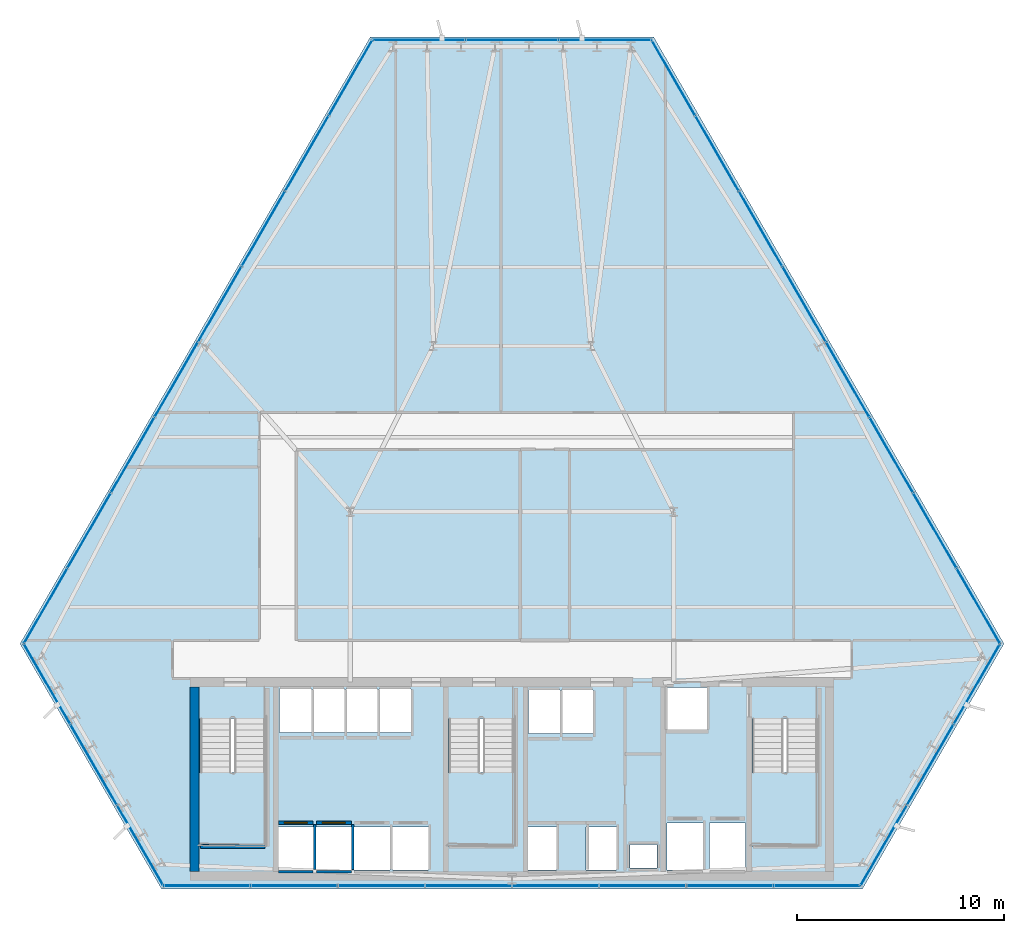
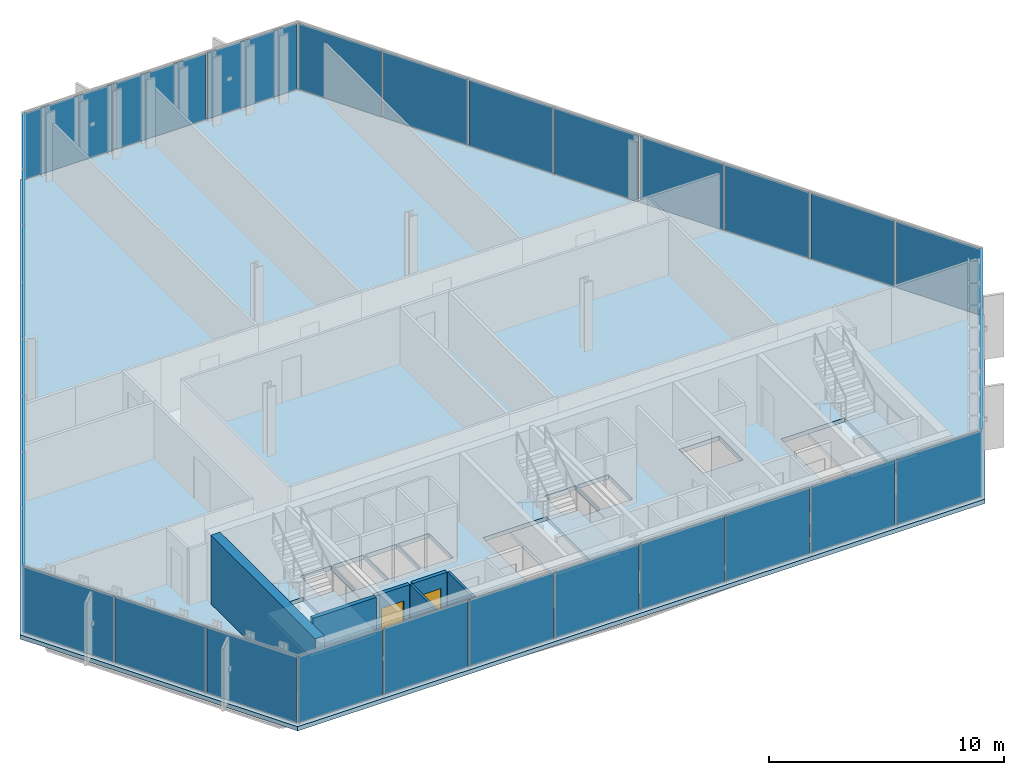
# One storey, part 24 of 31: 33 plates, 8 walls, 4 slabs, 2 doors, 2 openings, 9 elements without a shape of their own.
"""IFC4 building model written with IfcOpenShell, lengths in metres."""

from ifc_helpers import new_model, si_unit, direction, frame, frame_2d, origin, origin_2d, place, context, subcontext, project, spatial, polyline, rectangle, outline, extrude, material, layer, layer_set, type_object, element, fill, aggregate, save


model = new_model("IFC4")

# Units and contexts
model_context = context("Model", 3, precision=1e-05, world=origin(), true_north=direction((0.0, 1.0)))
body_context = subcontext(model_context, "Body", "Model", "MODEL_VIEW")
ifc_project = project(units=[si_unit("LENGTHUNIT", "METRE"), si_unit("AREAUNIT", "SQUARE_METRE"), si_unit("VOLUMEUNIT", "CUBIC_METRE"), si_unit("PLANEANGLEUNIT", "RADIAN"), si_unit("MASSUNIT", "GRAM", prefix="KILO")], contexts=[model_context])

# Site, building, storey
site_placement = place(None, origin())
site = spatial("IfcSite", under=ifc_project, at=site_placement, CompositionType="ELEMENT")
building_placement = place(site_placement, origin())
building = spatial("IfcBuilding", under=site, at=building_placement, Name="Ndaravel Arena Tower", CompositionType="ELEMENT")
storey_placement = place(building_placement, frame((0.0, 0.0, 104.39990234375)))
storey = spatial("IfcBuildingStorey", under=building, at=storey_placement, Name="L24", CompositionType="ELEMENT", Elevation=104.39990234375)

# Curtain wall, plate
ifc_material_1 = material(Name="Aluminium", Category="aluminium")
ifc_layer_1 = layer(ifc_material_1, 0.179931640625)
ifc_layer_set_1 = layer_set([ifc_layer_1], Name="Aluminium")
curtain_wall_type_1 = type_object("IfcCurtainWallType", Name="CW-SYS-01", PredefinedType="NOTDEFINED", material=ifc_layer_set_1)
curtain_wall_1_placement = place(storey_placement, origin())
curtain_wall_1 = element("IfcCurtainWall", 1, at=curtain_wall_1_placement, inside=storey, type_object=curtain_wall_type_1, Name="L24 Faceted Crystal Curtain Wall CW-L24-E02", PredefinedType="NOTDEFINED")
ifc_material_2 = material(Name="Glazing", Category="glass")
ifc_layer_2 = layer(ifc_material_2, 0.035888671875)
ifc_layer_set_2 = layer_set([ifc_layer_2], Name="Glazing")
plate_type_1 = type_object("IfcPlateType", Name="PLT-CW-OPVENT", PredefinedType="CURTAIN_PANEL", material=ifc_layer_set_2)
plate_1_placement = place(storey_placement, frame((62.1875, 10.996337890625, 0.06005859375), z_axis=(0.0, 0.0, 1.0), x_axis=(0.5, 0.866025403784, 0.0)))
plate_1 = element("IfcPlate", 2, at=plate_1_placement, type_object=plate_type_1, Name="CW-L24-E02 Operable Vent Sash Panel 02", PredefinedType="CURTAIN_PANEL", context=body_context, shape_type="SweptSolid", body=[
    extrude(rectangle(XDim=4.412841796875, YDim=0.035888671875, at=origin_2d()), origin(), (0.0, 0.0, 1.0), 3.4599609375),
])

curtain_wall_2_placement = place(storey_placement, origin())
curtain_wall_2 = element("IfcCurtainWall", 3, at=curtain_wall_2_placement, inside=storey, type_object=curtain_wall_type_1, Name="L24 Faceted Crystal Curtain Wall CW-L24-E04", PredefinedType="NOTDEFINED")
plate_2_placement = place(storey_placement, frame((42.0, 45.962646484375, 0.06005859375), z_axis=(0.0, 0.0, 1.0), x_axis=(-1.0, 0.0, 0.0)))
plate_2 = element("IfcPlate", 4, at=plate_2_placement, type_object=plate_type_1, Name="CW-L24-E04 Operable Vent Sash Panel 02", PredefinedType="CURTAIN_PANEL", context=body_context, shape_type="SweptSolid", body=[
    extrude(rectangle(XDim=4.412841796875, YDim=0.035888671875, at=origin_2d()), origin(), (0.0, 0.0, 1.0), 3.4599609375),
])

ifc_material_3 = material(Name="Aluminium", Category="aluminium")
ifc_layer_3 = layer(ifc_material_3, 0.179931640625)
ifc_layer_set_3 = layer_set([ifc_layer_3], Name="Aluminium")
curtain_wall_type_2 = type_object("IfcCurtainWallType", Name="CW-SYS-02", PredefinedType="NOTDEFINED", material=ifc_layer_set_3)
curtain_wall_3_placement = place(storey_placement, origin())
curtain_wall_3 = element("IfcCurtainWall", 5, at=curtain_wall_3_placement, inside=storey, type_object=curtain_wall_type_2, Name="L24 Faceted Crystal Curtain Wall CW-L24-E06", PredefinedType="NOTDEFINED")
plate_3_placement = place(storey_placement, frame((21.812255859375, 10.996337890625, 0.06005859375), z_axis=(0.0, 0.0, 1.0), x_axis=(0.5, -0.866025403784, 0.0)))
plate_3 = element("IfcPlate", 6, at=plate_3_placement, type_object=plate_type_1, Name="CW-L24-E06 Operable Vent Sash Panel 02", PredefinedType="CURTAIN_PANEL", context=body_context, shape_type="SweptSolid", body=[
    extrude(rectangle(XDim=4.412841796875, YDim=0.035888671875, at=origin_2d()), origin(), (0.0, 0.0, 1.0), 3.4599609375),
])

# Plate
ifc_material_4 = material(Name="Glazing", Category="glass")
ifc_layer_4 = layer(ifc_material_4, 0.031982421875)
ifc_layer_set_4 = layer_set([ifc_layer_4], Name="Glazing")
plate_type_2 = type_object("IfcPlateType", Name="PLT-GLZ-FRIT35", PredefinedType="CURTAIN_PANEL", material=ifc_layer_set_4)
plate_4_placement = place(storey_placement, frame((59.941162109375, 7.10546875, 0.06005859375), z_axis=(0.0, 0.0, 1.0), x_axis=(0.5, 0.866025403784, 0.0)))
plate_4 = element("IfcPlate", 7, at=plate_4_placement, type_object=plate_type_2, Name="CW-L24-E02 Vision Glass Panel 01", PredefinedType="CURTAIN_PANEL", context=body_context, shape_type="SweptSolid", body=[
    extrude(rectangle(XDim=4.412841796875, YDim=0.035888671875, at=origin_2d()), origin(), (0.0, 0.0, 1.0), 3.4599609375),
])

plate_5_placement = place(storey_placement, frame((64.43408203125, 14.88720703125, 0.06005859375), z_axis=(0.0, 0.0, 1.0), x_axis=(0.5, 0.866025403784, 0.0)))
plate_5 = element("IfcPlate", 8, at=plate_5_placement, type_object=plate_type_2, Name="CW-L24-E02 Vision Glass Panel 03", PredefinedType="CURTAIN_PANEL", context=body_context, shape_type="SweptSolid", body=[
    extrude(rectangle(XDim=4.412841796875, YDim=0.035888671875, at=origin_2d()), origin(), (0.0, 0.0, 1.0), 3.4599609375),
])

aggregate(curtain_wall_1, [plate_4, plate_1, plate_5])

plate_6_placement = place(storey_placement, frame((46.492919921875, 45.962646484375, 0.06005859375), z_axis=(0.0, 0.0, 1.0), x_axis=(-1.0, 0.0, 0.0)))
plate_6 = element("IfcPlate", 9, at=plate_6_placement, type_object=plate_type_2, Name="CW-L24-E04 Vision Glass Panel 01", PredefinedType="CURTAIN_PANEL", context=body_context, shape_type="SweptSolid", body=[
    extrude(rectangle(XDim=4.412841796875, YDim=0.035888671875, at=origin_2d()), origin(), (0.0, 0.0, 1.0), 3.4599609375),
])

plate_7_placement = place(storey_placement, frame((37.507080078125, 45.962646484375, 0.06005859375), z_axis=(0.0, 0.0, 1.0), x_axis=(-1.0, 0.0, 0.0)))
plate_7 = element("IfcPlate", 10, at=plate_7_placement, type_object=plate_type_2, Name="CW-L24-E04 Vision Glass Panel 03", PredefinedType="CURTAIN_PANEL", context=body_context, shape_type="SweptSolid", body=[
    extrude(rectangle(XDim=4.412841796875, YDim=0.035888671875, at=origin_2d()), origin(), (0.0, 0.0, 1.0), 3.4599609375),
])

aggregate(curtain_wall_2, [plate_6, plate_2, plate_7])

ifc_material_5 = material(Name="Glazing", Category="glass")
ifc_layer_5 = layer(ifc_material_5, 0.035888671875)
ifc_layer_set_5 = layer_set([ifc_layer_5], Name="Glazing")
plate_type_3 = type_object("IfcPlateType", Name="PLT-GLZ-FRIT55", PredefinedType="CURTAIN_PANEL", material=ifc_layer_set_5)
plate_8_placement = place(storey_placement, frame((19.56591796875, 14.88720703125, 0.06005859375), z_axis=(0.0, 0.0, 1.0), x_axis=(0.5, -0.866025403784, 0.0)))
plate_8 = element("IfcPlate", 11, at=plate_8_placement, type_object=plate_type_3, Name="CW-L24-E06 Vision Glass Panel 01", PredefinedType="CURTAIN_PANEL", context=body_context, shape_type="SweptSolid", body=[
    extrude(rectangle(XDim=4.412841796875, YDim=0.035888671875, at=origin_2d()), origin(), (0.0, 0.0, 1.0), 3.4599609375),
])

plate_9_placement = place(storey_placement, frame((24.058837890625, 7.10546875, 0.06005859375), z_axis=(0.0, 0.0, 1.0), x_axis=(0.5, -0.866025403784, 0.0)))
plate_9 = element("IfcPlate", 12, at=plate_9_placement, type_object=plate_type_3, Name="CW-L24-E06 Vision Glass Panel 03", PredefinedType="CURTAIN_PANEL", context=body_context, shape_type="SweptSolid", body=[
    extrude(rectangle(XDim=4.412841796875, YDim=0.035888671875, at=origin_2d()), origin(), (0.0, 0.0, 1.0), 3.4599609375),
])

aggregate(curtain_wall_3, [plate_8, plate_3, plate_9])

# Curtain wall, plates
ifc_material_6 = material(Name="Aluminium", Category="aluminium")
ifc_layer_6 = layer(ifc_material_6, 0.179931640625)
ifc_layer_set_6 = layer_set([ifc_layer_6], Name="Aluminium")
curtain_wall_type_3 = type_object("IfcCurtainWallType", Name="CW-SYS-03", PredefinedType="NOTDEFINED", material=ifc_layer_set_6)
curtain_wall_4_placement = place(storey_placement, origin())
curtain_wall_4 = element("IfcCurtainWall", 13, at=curtain_wall_4_placement, inside=storey, type_object=curtain_wall_type_3, Name="L24 Faceted Crystal Curtain Wall CW-L24-E01", PredefinedType="NOTDEFINED")
ifc_material_7 = material(Name="Glazing", Category="glass")
ifc_layer_7 = layer(ifc_material_7, 0.0400390625)
ifc_layer_set_7 = layer_set([ifc_layer_7], Name="Glazing")
plate_type_4 = type_object("IfcPlateType", Name="PLT-GLZ-LOWIRON", PredefinedType="CURTAIN_PANEL", material=ifc_layer_set_7)
plate_10_placement = place(storey_placement, frame((27.2841796875, 5.159912109375, 0.06005859375), z_axis=(0.0, 0.0, 1.0), x_axis=(1.0, 0.0, 0.0)))
plate_10 = element("IfcPlate", 14, at=plate_10_placement, type_object=plate_type_4, Name="CW-L24-E01 Vision Glass Panel 01", PredefinedType="CURTAIN_PANEL", context=body_context, shape_type="SweptSolid", body=[
    extrude(rectangle(XDim=4.12451171875, YDim=0.035888671875, at=origin_2d()), origin(), (0.0, 0.0, 1.0), 3.4599609375),
])
plate_11_placement = place(storey_placement, frame((31.48876953125, 5.159912109375, 0.06005859375), z_axis=(0.0, 0.0, 1.0), x_axis=(1.0, 0.0, 0.0)))
plate_11 = element("IfcPlate", 15, at=plate_11_placement, type_object=plate_type_4, Name="CW-L24-E01 Vision Glass Panel 02", PredefinedType="CURTAIN_PANEL", context=body_context, shape_type="SweptSolid", body=[
    extrude(rectangle(XDim=4.12451171875, YDim=0.035888671875, at=origin_2d()), origin(), (0.0, 0.0, 1.0), 3.4599609375),
])
plate_12_placement = place(storey_placement, frame((35.693115234375, 5.159912109375, 0.06005859375), z_axis=(0.0, 0.0, 1.0), x_axis=(1.0, 0.0, 0.0)))
plate_12 = element("IfcPlate", 16, at=plate_12_placement, type_object=plate_type_4, Name="CW-L24-E01 Vision Glass Panel 03", PredefinedType="CURTAIN_PANEL", context=body_context, shape_type="SweptSolid", body=[
    extrude(rectangle(XDim=4.12451171875, YDim=0.035888671875, at=origin_2d()), origin(), (0.0, 0.0, 1.0), 3.4599609375),
])
plate_13_placement = place(storey_placement, frame((39.897705078125, 5.159912109375, 0.06005859375), z_axis=(0.0, 0.0, 1.0), x_axis=(1.0, 0.0, 0.0)))
plate_13 = element("IfcPlate", 17, at=plate_13_placement, type_object=plate_type_4, Name="CW-L24-E01 Vision Glass Panel 04", PredefinedType="CURTAIN_PANEL", context=body_context, shape_type="SweptSolid", body=[
    extrude(rectangle(XDim=4.12451171875, YDim=0.035888671875, at=origin_2d()), origin(), (0.0, 0.0, 1.0), 3.4599609375),
])
plate_14_placement = place(storey_placement, frame((44.102294921875, 5.159912109375, 0.06005859375), z_axis=(0.0, 0.0, 1.0), x_axis=(1.0, 0.0, 0.0)))
plate_14 = element("IfcPlate", 18, at=plate_14_placement, type_object=plate_type_4, Name="CW-L24-E01 Vision Glass Panel 05", PredefinedType="CURTAIN_PANEL", context=body_context, shape_type="SweptSolid", body=[
    extrude(rectangle(XDim=4.12451171875, YDim=0.035888671875, at=origin_2d()), origin(), (0.0, 0.0, 1.0), 3.4599609375),
])
plate_15_placement = place(storey_placement, frame((48.306640625, 5.159912109375, 0.06005859375), z_axis=(0.0, 0.0, 1.0), x_axis=(1.0, 0.0, 0.0)))
plate_15 = element("IfcPlate", 19, at=plate_15_placement, type_object=plate_type_4, Name="CW-L24-E01 Vision Glass Panel 06", PredefinedType="CURTAIN_PANEL", context=body_context, shape_type="SweptSolid", body=[
    extrude(rectangle(XDim=4.12451171875, YDim=0.035888671875, at=origin_2d()), origin(), (0.0, 0.0, 1.0), 3.4599609375),
])
plate_16_placement = place(storey_placement, frame((52.51123046875, 5.159912109375, 0.06005859375), z_axis=(0.0, 0.0, 1.0), x_axis=(1.0, 0.0, 0.0)))
plate_16 = element("IfcPlate", 20, at=plate_16_placement, type_object=plate_type_4, Name="CW-L24-E01 Vision Glass Panel 07", PredefinedType="CURTAIN_PANEL", context=body_context, shape_type="SweptSolid", body=[
    extrude(rectangle(XDim=4.12451171875, YDim=0.035888671875, at=origin_2d()), origin(), (0.0, 0.0, 1.0), 3.4599609375),
])
plate_17_placement = place(storey_placement, frame((56.7158203125, 5.159912109375, 0.06005859375), z_axis=(0.0, 0.0, 1.0), x_axis=(1.0, 0.0, 0.0)))
plate_17 = element("IfcPlate", 21, at=plate_17_placement, type_object=plate_type_4, Name="CW-L24-E01 Vision Glass Panel 08", PredefinedType="CURTAIN_PANEL", context=body_context, shape_type="SweptSolid", body=[
    extrude(rectangle(XDim=4.12451171875, YDim=0.035888671875, at=origin_2d()), origin(), (0.0, 0.0, 1.0), 3.4599609375),
])
aggregate(curtain_wall_4, [plate_10, plate_11, plate_12, plate_13, plate_14, plate_15, plate_16, plate_17])

curtain_wall_5_placement = place(storey_placement, origin())
curtain_wall_5 = element("IfcCurtainWall", 22, at=curtain_wall_5_placement, inside=storey, type_object=curtain_wall_type_3, Name="L24 Faceted Crystal Curtain Wall CW-L24-E03", PredefinedType="NOTDEFINED")
plate_18_placement = place(storey_placement, frame((64.506103515625, 18.6533203125, 0.06005859375), z_axis=(0.0, 0.0, 1.0), x_axis=(-0.5, 0.866025403784, 0.0)))
plate_18 = element("IfcPlate", 23, at=plate_18_placement, type_object=plate_type_4, Name="CW-L24-E03 Vision Glass Panel 01", PredefinedType="CURTAIN_PANEL", context=body_context, shape_type="SweptSolid", body=[
    extrude(rectangle(XDim=4.12451171875, YDim=0.035888671875, at=origin_2d()), origin(), (0.0, 0.0, 1.0), 3.4599609375),
])
plate_19_placement = place(storey_placement, frame((62.40380859375, 22.294677734375, 0.06005859375), z_axis=(0.0, 0.0, 1.0), x_axis=(-0.5, 0.866025403784, 0.0)))
plate_19 = element("IfcPlate", 24, at=plate_19_placement, type_object=plate_type_4, Name="CW-L24-E03 Vision Glass Panel 02", PredefinedType="CURTAIN_PANEL", context=body_context, shape_type="SweptSolid", body=[
    extrude(rectangle(XDim=4.12451171875, YDim=0.035888671875, at=origin_2d()), origin(), (0.0, 0.0, 1.0), 3.4599609375),
])
plate_20_placement = place(storey_placement, frame((60.3017578125, 25.935791015625, 0.06005859375), z_axis=(0.0, 0.0, 1.0), x_axis=(-0.5, 0.866025403784, 0.0)))
plate_20 = element("IfcPlate", 25, at=plate_20_placement, type_object=plate_type_4, Name="CW-L24-E03 Vision Glass Panel 03", PredefinedType="CURTAIN_PANEL", context=body_context, shape_type="SweptSolid", body=[
    extrude(rectangle(XDim=4.12451171875, YDim=0.035888671875, at=origin_2d()), origin(), (0.0, 0.0, 1.0), 3.4599609375),
])
plate_21_placement = place(storey_placement, frame((58.199462890625, 29.5771484375, 0.06005859375), z_axis=(0.0, 0.0, 1.0), x_axis=(-0.5, 0.866025403784, 0.0)))
plate_21 = element("IfcPlate", 26, at=plate_21_placement, type_object=plate_type_4, Name="CW-L24-E03 Vision Glass Panel 04", PredefinedType="CURTAIN_PANEL", context=body_context, shape_type="SweptSolid", body=[
    extrude(rectangle(XDim=4.12451171875, YDim=0.035888671875, at=origin_2d()), origin(), (0.0, 0.0, 1.0), 3.4599609375),
])
plate_22_placement = place(storey_placement, frame((56.09716796875, 33.21826171875, 0.06005859375), z_axis=(0.0, 0.0, 1.0), x_axis=(-0.5, 0.866025403784, 0.0)))
plate_22 = element("IfcPlate", 27, at=plate_22_placement, type_object=plate_type_4, Name="CW-L24-E03 Vision Glass Panel 05", PredefinedType="CURTAIN_PANEL", context=body_context, shape_type="SweptSolid", body=[
    extrude(rectangle(XDim=4.12451171875, YDim=0.035888671875, at=origin_2d()), origin(), (0.0, 0.0, 1.0), 3.4599609375),
])
plate_23_placement = place(storey_placement, frame((53.994873046875, 36.859619140625, 0.06005859375), z_axis=(0.0, 0.0, 1.0), x_axis=(-0.5, 0.866025403784, 0.0)))
plate_23 = element("IfcPlate", 28, at=plate_23_placement, type_object=plate_type_4, Name="CW-L24-E03 Vision Glass Panel 06", PredefinedType="CURTAIN_PANEL", context=body_context, shape_type="SweptSolid", body=[
    extrude(rectangle(XDim=4.12451171875, YDim=0.035888671875, at=origin_2d()), origin(), (0.0, 0.0, 1.0), 3.4599609375),
])
plate_24_placement = place(storey_placement, frame((51.892578125, 40.500732421875, 0.06005859375), z_axis=(0.0, 0.0, 1.0), x_axis=(-0.5, 0.866025403784, 0.0)))
plate_24 = element("IfcPlate", 29, at=plate_24_placement, type_object=plate_type_4, Name="CW-L24-E03 Vision Glass Panel 07", PredefinedType="CURTAIN_PANEL", context=body_context, shape_type="SweptSolid", body=[
    extrude(rectangle(XDim=4.12451171875, YDim=0.035888671875, at=origin_2d()), origin(), (0.0, 0.0, 1.0), 3.4599609375),
])
plate_25_placement = place(storey_placement, frame((49.790283203125, 44.14208984375, 0.06005859375), z_axis=(0.0, 0.0, 1.0), x_axis=(-0.5, 0.866025403784, 0.0)))
plate_25 = element("IfcPlate", 30, at=plate_25_placement, type_object=plate_type_4, Name="CW-L24-E03 Vision Glass Panel 08", PredefinedType="CURTAIN_PANEL", context=body_context, shape_type="SweptSolid", body=[
    extrude(rectangle(XDim=4.12451171875, YDim=0.035888671875, at=origin_2d()), origin(), (0.0, 0.0, 1.0), 3.4599609375),
])
aggregate(curtain_wall_5, [plate_18, plate_19, plate_20, plate_21, plate_22, plate_23, plate_24, plate_25])

curtain_wall_6_placement = place(storey_placement, origin())
curtain_wall_6 = element("IfcCurtainWall", 31, at=curtain_wall_6_placement, inside=storey, type_object=curtain_wall_type_3, Name="L24 Faceted Crystal Curtain Wall CW-L24-E05", PredefinedType="NOTDEFINED")
plate_26_placement = place(storey_placement, frame((34.209716796875, 44.14208984375, 0.06005859375), z_axis=(0.0, 0.0, 1.0), x_axis=(-0.5, -0.866025403784, 0.0)))
plate_26 = element("IfcPlate", 32, at=plate_26_placement, type_object=plate_type_4, Name="CW-L24-E05 Vision Glass Panel 01", PredefinedType="CURTAIN_PANEL", context=body_context, shape_type="SweptSolid", body=[
    extrude(rectangle(XDim=4.12451171875, YDim=0.035888671875, at=origin_2d()), origin(), (0.0, 0.0, 1.0), 3.4599609375),
])
plate_27_placement = place(storey_placement, frame((32.107421875, 40.500732421875, 0.06005859375), z_axis=(0.0, 0.0, 1.0), x_axis=(-0.5, -0.866025403784, 0.0)))
plate_27 = element("IfcPlate", 33, at=plate_27_placement, type_object=plate_type_4, Name="CW-L24-E05 Vision Glass Panel 02", PredefinedType="CURTAIN_PANEL", context=body_context, shape_type="SweptSolid", body=[
    extrude(rectangle(XDim=4.12451171875, YDim=0.035888671875, at=origin_2d()), origin(), (0.0, 0.0, 1.0), 3.4599609375),
])
plate_28_placement = place(storey_placement, frame((30.005126953125, 36.859619140625, 0.06005859375), z_axis=(0.0, 0.0, 1.0), x_axis=(-0.5, -0.866025403784, 0.0)))
plate_28 = element("IfcPlate", 34, at=plate_28_placement, type_object=plate_type_4, Name="CW-L24-E05 Vision Glass Panel 03", PredefinedType="CURTAIN_PANEL", context=body_context, shape_type="SweptSolid", body=[
    extrude(rectangle(XDim=4.12451171875, YDim=0.035888671875, at=origin_2d()), origin(), (0.0, 0.0, 1.0), 3.4599609375),
])
plate_29_placement = place(storey_placement, frame((27.90283203125, 33.21826171875, 0.06005859375), z_axis=(0.0, 0.0, 1.0), x_axis=(-0.5, -0.866025403784, 0.0)))
plate_29 = element("IfcPlate", 35, at=plate_29_placement, type_object=plate_type_4, Name="CW-L24-E05 Vision Glass Panel 04", PredefinedType="CURTAIN_PANEL", context=body_context, shape_type="SweptSolid", body=[
    extrude(rectangle(XDim=4.12451171875, YDim=0.035888671875, at=origin_2d()), origin(), (0.0, 0.0, 1.0), 3.4599609375),
])
plate_30_placement = place(storey_placement, frame((25.800537109375, 29.5771484375, 0.06005859375), z_axis=(0.0, 0.0, 1.0), x_axis=(-0.5, -0.866025403784, 0.0)))
plate_30 = element("IfcPlate", 36, at=plate_30_placement, type_object=plate_type_4, Name="CW-L24-E05 Vision Glass Panel 05", PredefinedType="CURTAIN_PANEL", context=body_context, shape_type="SweptSolid", body=[
    extrude(rectangle(XDim=4.12451171875, YDim=0.035888671875, at=origin_2d()), origin(), (0.0, 0.0, 1.0), 3.4599609375),
])
plate_31_placement = place(storey_placement, frame((23.6982421875, 25.935791015625, 0.06005859375), z_axis=(0.0, 0.0, 1.0), x_axis=(-0.5, -0.866025403784, 0.0)))
plate_31 = element("IfcPlate", 37, at=plate_31_placement, type_object=plate_type_4, Name="CW-L24-E05 Vision Glass Panel 06", PredefinedType="CURTAIN_PANEL", context=body_context, shape_type="SweptSolid", body=[
    extrude(rectangle(XDim=4.12451171875, YDim=0.035888671875, at=origin_2d()), origin(), (0.0, 0.0, 1.0), 3.4599609375),
])
plate_32_placement = place(storey_placement, frame((21.59619140625, 22.294677734375, 0.06005859375), z_axis=(0.0, 0.0, 1.0), x_axis=(-0.5, -0.866025403784, 0.0)))
plate_32 = element("IfcPlate", 38, at=plate_32_placement, type_object=plate_type_4, Name="CW-L24-E05 Vision Glass Panel 07", PredefinedType="CURTAIN_PANEL", context=body_context, shape_type="SweptSolid", body=[
    extrude(rectangle(XDim=4.12451171875, YDim=0.035888671875, at=origin_2d()), origin(), (0.0, 0.0, 1.0), 3.4599609375),
])
plate_33_placement = place(storey_placement, frame((19.493896484375, 18.6533203125, 0.06005859375), z_axis=(0.0, 0.0, 1.0), x_axis=(-0.5, -0.866025403784, 0.0)))
plate_33 = element("IfcPlate", 39, at=plate_33_placement, type_object=plate_type_4, Name="CW-L24-E05 Vision Glass Panel 08", PredefinedType="CURTAIN_PANEL", context=body_context, shape_type="SweptSolid", body=[
    extrude(rectangle(XDim=4.12451171875, YDim=0.035888671875, at=origin_2d()), origin(), (0.0, 0.0, 1.0), 3.4599609375),
])
aggregate(curtain_wall_6, [plate_26, plate_27, plate_28, plate_29, plate_30, plate_31, plate_32, plate_33])

# Stair, slab
ifc_material_8 = material(Name="Concrete C40/50", Category="concrete")
stair_type = type_object("IfcStairType", Name="STAIR-CORE-HT", PredefinedType="HALF_TURN_STAIR", material=ifc_material_8)
stair_1_placement = place(storey_placement, origin())
stair_1 = element("IfcStair", 40, at=stair_1_placement, inside=storey, type_object=stair_type, Name="L24 ST-1", PredefinedType="HALF_TURN_STAIR")
ifc_material_9 = material(Name="Concrete C40/50", Category="concrete")
ifc_layer_8 = layer(ifc_material_9, 0.199951171875)
ifc_layer_set_8 = layer_set([ifc_layer_8], Name="Concrete C40/50")
slab_type_1 = type_object("IfcSlabType", Name="SLAB-STAIR-LANDING", PredefinedType="LANDING", material=ifc_layer_set_8)
slab_1_placement = place(storey_placement, frame((0.0, 0.0, 1.7001953125)))
slab_1 = element("IfcSlab", 41, at=slab_1_placement, type_object=slab_type_1, Name="ST-1 landing 1", PredefinedType="LANDING", context=body_context, shape_type="SweptSolid", body=[
    extrude(outline(polyline([(26.81005859375, 10.6298828125), (26.81005859375, 7.070068359375), (30.169921875, 7.070068359375), (30.169921875, 10.6298828125), (26.81005859375, 10.6298828125)])), origin(), (0.0, 0.0, 1.0), 0.199951171875),
])
aggregate(stair_1, [slab_1])

stair_2_placement = place(storey_placement, origin())
stair_2 = element("IfcStair", 42, at=stair_2_placement, inside=storey, type_object=stair_type, Name="L24 ST-2", PredefinedType="HALF_TURN_STAIR")
slab_2_placement = place(storey_placement, frame((0.0, 0.0, 1.7001953125)))
slab_2 = element("IfcSlab", 43, at=slab_2_placement, type_object=slab_type_1, Name="ST-2 landing 1", PredefinedType="LANDING", context=body_context, shape_type="SweptSolid", body=[
    extrude(outline(polyline([(38.81005859375, 10.6298828125), (38.81005859375, 7.070068359375), (42.169921875, 7.070068359375), (42.169921875, 10.6298828125), (38.81005859375, 10.6298828125)])), origin(), (0.0, 0.0, 1.0), 0.199951171875),
])
aggregate(stair_2, [slab_2])

stair_3_placement = place(storey_placement, origin())
stair_3 = element("IfcStair", 44, at=stair_3_placement, inside=storey, type_object=stair_type, Name="L24 ST-3", PredefinedType="HALF_TURN_STAIR")
slab_3_placement = place(storey_placement, frame((0.0, 0.0, 1.7001953125)))
slab_3 = element("IfcSlab", 45, at=slab_3_placement, type_object=slab_type_1, Name="ST-3 landing 1", PredefinedType="LANDING", context=body_context, shape_type="SweptSolid", body=[
    extrude(outline(polyline([(53.4599609375, 10.6298828125), (53.4599609375, 7.070068359375), (56.820068359375, 7.070068359375), (56.820068359375, 10.6298828125), (53.4599609375, 10.6298828125)])), origin(), (0.0, 0.0, 1.0), 0.199951171875),
])
aggregate(stair_3, [slab_3])

# Slab
ifc_material_10 = material(Name="Concrete C40/50", Category="concrete")
ifc_layer_9 = layer(ifc_material_10, 0.219970703125)
ifc_layer_set_9 = layer_set([ifc_layer_9], Name="Concrete C40/50")
slab_type_2 = type_object("IfcSlabType", Name="SLAB-TWR-220", PredefinedType="FLOOR", material=ifc_layer_set_9)
slab_4_placement = place(storey_placement, frame((0.0, 0.0, -0.219970703125)))
element("IfcSlab", 46, at=slab_4_placement, inside=storey, type_object=slab_type_2, Name="L24 Structural Floor Slab", PredefinedType="FLOOR", context=body_context, shape_type="SweptSolid", body=[
    extrude(outline(polyline([(18.2578125, 16.832763671875), (25.089599609375, 5.0), (58.910400390625, 5.0), (65.7421875, 16.832763671875), (48.831787109375, 46.12255859375), (35.168212890625, 46.12255859375), (18.2578125, 16.832763671875)]), holes=[polyline([(26.949951171875, 13.215087890625), (26.949951171875, 7.14990234375), (30.090087890625, 7.14990234375), (30.090087890625, 13.215087890625), (26.949951171875, 13.215087890625)]), polyline([(38.949951171875, 13.215087890625), (38.949951171875, 7.14990234375), (42.090087890625, 7.14990234375), (42.090087890625, 13.215087890625), (38.949951171875, 13.215087890625)]), polyline([(53.60009765625, 13.215087890625), (53.60009765625, 7.14990234375), (56.739990234375, 7.14990234375), (56.739990234375, 13.215087890625), (53.60009765625, 13.215087890625)]), polyline([(30.68505859375, 5.909912109375), (32.4150390625, 5.909912109375), (32.4150390625, 7.989990234375), (30.68505859375, 7.989990234375), (30.68505859375, 5.909912109375)]), polyline([(32.534912109375, 5.909912109375), (34.264892578125, 5.909912109375), (34.264892578125, 7.989990234375), (32.534912109375, 7.989990234375), (32.534912109375, 5.909912109375)]), polyline([(34.385009765625, 5.909912109375), (36.114990234375, 5.909912109375), (36.114990234375, 7.989990234375), (34.385009765625, 7.989990234375), (34.385009765625, 5.909912109375)]), polyline([(36.235107421875, 5.909912109375), (37.965087890625, 5.909912109375), (37.965087890625, 7.989990234375), (36.235107421875, 7.989990234375), (36.235107421875, 5.909912109375)]), polyline([(30.784912109375, 12.56005859375), (32.31494140625, 12.56005859375), (32.31494140625, 14.639892578125), (30.784912109375, 14.639892578125), (30.784912109375, 12.56005859375)]), polyline([(32.385009765625, 12.56005859375), (33.9150390625, 12.56005859375), (33.9150390625, 14.639892578125), (32.385009765625, 14.639892578125), (32.385009765625, 12.56005859375)]), polyline([(33.985107421875, 12.56005859375), (35.514892578125, 12.56005859375), (35.514892578125, 14.639892578125), (33.985107421875, 14.639892578125), (33.985107421875, 12.56005859375)]), polyline([(35.5849609375, 12.56005859375), (37.114990234375, 12.56005859375), (37.114990234375, 14.639892578125), (35.5849609375, 14.639892578125), (35.5849609375, 12.56005859375)]), polyline([(42.659912109375, 5.909912109375), (44.139892578125, 5.909912109375), (44.139892578125, 7.989990234375), (42.659912109375, 7.989990234375), (42.659912109375, 5.909912109375)]), polyline([(45.56005859375, 5.909912109375), (47.0400390625, 5.909912109375), (47.0400390625, 7.989990234375), (45.56005859375, 7.989990234375), (45.56005859375, 5.909912109375)]), polyline([(42.784912109375, 12.510009765625), (44.31494140625, 12.510009765625), (44.31494140625, 14.590087890625), (42.784912109375, 14.590087890625), (42.784912109375, 12.510009765625)]), polyline([(44.385009765625, 12.510009765625), (45.9150390625, 12.510009765625), (45.9150390625, 14.590087890625), (44.385009765625, 14.590087890625), (44.385009765625, 12.510009765625)]), polyline([(49.485107421875, 5.909912109375), (51.215087890625, 5.909912109375), (51.215087890625, 8.18994140625), (49.485107421875, 8.18994140625), (49.485107421875, 5.909912109375)]), polyline([(51.534912109375, 5.909912109375), (53.264892578125, 5.909912109375), (53.264892578125, 8.18994140625), (51.534912109375, 8.18994140625), (51.534912109375, 5.909912109375)]), polyline([(49.4599609375, 12.68505859375), (51.43994140625, 12.68505859375), (51.43994140625, 14.715087890625), (49.4599609375, 14.715087890625), (49.4599609375, 12.68505859375)]), polyline([(47.699951171875, 6.0), (49.0, 6.0), (49.0, 7.139892578125), (47.699951171875, 7.139892578125), (47.699951171875, 6.0)])]), origin(), (0.0, 0.0, 1.0), 0.219970703125),
])

# Walls
ifc_material_11 = material(Name="Concrete C60/75", Category="concrete")
ifc_layer_10 = layer(ifc_material_11, 0.449951171875)
ifc_layer_set_10 = layer_set([ifc_layer_10], Name="Concrete C60/75")
wall_type_1 = type_object("IfcWallType", Name="WALL-CORE-450", PredefinedType="SOLIDWALL", material=ifc_layer_set_10)
wall_1_placement = place(storey_placement, frame((26.675048828125, 5.85009765625, 0.0), z_axis=(0.0, 0.0, 1.0), x_axis=(0.0, 1.0, 0.0)))
element("IfcWall", 47, at=wall_1_placement, inside=storey, type_object=wall_type_1, Name="L24 Core West Shear Wall", PredefinedType="SOLIDWALL", context=body_context, shape_type="SweptSolid", body=[
    extrude(rectangle(XDim=8.89990234375, YDim=0.449951171875, at=frame_2d((4.449951171875, 0.0))), origin(), (0.0, 0.0, 1.0), 3.580078125),
])
ifc_material_12 = material(Name="Concrete C40/50", Category="concrete")
ifc_layer_11 = layer(ifc_material_12, 0.1201171875)
ifc_layer_set_11 = layer_set([ifc_layer_11], Name="Concrete C40/50")
wall_type_2 = type_object("IfcWallType", Name="WALL-SHAFT-120", PredefinedType="SOLIDWALL", material=ifc_layer_set_11)
wall_2_placement = place(storey_placement, frame((30.72998046875, 5.840087890625, 0.0), z_axis=(0.0, 0.0, 1.0), x_axis=(1.0, 0.0, 0.0)))
element("IfcWall", 48, at=wall_2_placement, inside=storey, type_object=wall_type_2, Name="L24 PL-L1 Shaft Rear Wall", PredefinedType="SOLIDWALL", context=body_context, shape_type="SweptSolid", body=[
    extrude(rectangle(XDim=1.6650390625, YDim=0.1201171875, at=frame_2d((0.83251953125, 0.0))), origin(), (0.0, 0.0, 1.0), 2.9501953125),
])
wall_3_placement = place(storey_placement, frame((32.47509765625, 5.929931640625, 0.0), z_axis=(0.0, 0.0, 1.0), x_axis=(0.0, 1.0, 0.0)))
element("IfcWall", 49, at=wall_3_placement, inside=storey, type_object=wall_type_2, Name="L24 PL-L1 Shaft Side R Wall", PredefinedType="SOLIDWALL", context=body_context, shape_type="SweptSolid", body=[
    extrude(rectangle(XDim=2.18017578125, YDim=0.1201171875, at=frame_2d((1.090087890625, 0.0))), origin(), (0.0, 0.0, 1.0), 2.9501953125),
])
wall_4_placement = place(storey_placement, frame((32.554931640625, 5.840087890625, 0.0), z_axis=(0.0, 0.0, 1.0), x_axis=(1.0, 0.0, 0.0)))
element("IfcWall", 50, at=wall_4_placement, inside=storey, type_object=wall_type_2, Name="L24 PL-L2 Shaft Rear Wall", PredefinedType="SOLIDWALL", context=body_context, shape_type="SweptSolid", body=[
    extrude(rectangle(XDim=1.690185546875, YDim=0.1201171875, at=frame_2d((0.84521484375, 0.0))), origin(), (0.0, 0.0, 1.0), 2.9501953125),
])
wall_5_placement = place(storey_placement, frame((34.324951171875, 5.929931640625, 0.0), z_axis=(0.0, 0.0, 1.0), x_axis=(0.0, 1.0, 0.0)))
element("IfcWall", 51, at=wall_5_placement, inside=storey, type_object=wall_type_2, Name="L24 PL-L2 Shaft Side R Wall", PredefinedType="SOLIDWALL", context=body_context, shape_type="SweptSolid", body=[
    extrude(rectangle(XDim=2.18017578125, YDim=0.1201171875, at=frame_2d((1.090087890625, 0.0))), origin(), (0.0, 0.0, 1.0), 2.9501953125),
])
ifc_material_13 = material(Name="Concrete C40/50", Category="concrete")
ifc_layer_12 = layer(ifc_material_13, 0.199951171875)
ifc_layer_set_12 = layer_set([ifc_layer_12], Name="Concrete C40/50")
wall_type_3 = type_object("IfcWallType", Name="WALL-SHAFT-200", PredefinedType="SOLIDWALL", material=ifc_layer_set_12)
wall_6_placement = place(storey_placement, frame((26.969970703125, 7.050048828125, 0.0), z_axis=(0.0, 0.0, 1.0), x_axis=(1.0, 0.0, 0.0)))
element("IfcWall", 52, at=wall_6_placement, inside=storey, type_object=wall_type_3, Name="L24 ST-1 Structural Shaft Wall Far", PredefinedType="SOLIDWALL", context=body_context, shape_type="SweptSolid", body=[
    extrude(rectangle(XDim=3.114990234375, YDim=0.199951171875, at=frame_2d((1.5576171875, 0.0))), origin(), (0.0, 0.0, 1.0), 3.800048828125),
])

# Wall, opening, door
wall_7_placement = place(storey_placement, frame((30.72998046875, 8.199951171875, 0.0), z_axis=(0.0, 0.0, 1.0), x_axis=(1.0, 0.0, 0.0)))
wall_7 = element("IfcWall", 53, at=wall_7_placement, inside=storey, type_object=wall_type_3, Name="L24 PL-L1 Shaft Landing Wall", PredefinedType="SOLIDWALL", context=body_context, shape_type="SweptSolid", body=[
    extrude(rectangle(XDim=1.6650390625, YDim=0.179931640625, at=frame_2d((0.83251953125, 0.0))), origin(), (0.0, 0.0, 1.0), 2.9501953125),
])
opening_1_placement = place(wall_7_placement, frame((0.282470703125, 0.0, 0.0)))
opening_1 = element("IfcOpeningElement", 54, at=opening_1_placement, cuts=wall_7, Name="Opening LD-01", PredefinedType="OPENING", context=body_context, shape_type="SweptSolid", body=[
    extrude(rectangle(XDim=1.10009765625, YDim=2.199951171875, at=frame_2d((0.550048828125, 1.10009765625))), frame((0.0, 0.08984375, 0.0), z_axis=(0.0, -1.0, 0.0), x_axis=(1.0, 0.0, 0.0)), (0.0, 0.0, 1.0), 0.179931640625),
])
ifc_material_14 = material(Name="Steel S355", Category="steel")
door_type = type_object("IfcDoorType", Name="DT-06-LIFT-1100", OperationType="SLIDING_TO_LEFT", PredefinedType="DOOR", material=ifc_material_14)
door_1_placement = place(opening_1_placement, origin())
door_1 = element("IfcDoor", 55, at=door_1_placement, inside=storey, type_object=door_type, Name="L24 Lift PL-L1 Sliding Landing Door", OperationType="SLIDING_TO_LEFT", OverallHeight=2.199951171875, OverallWidth=1.10009765625, PredefinedType="DOOR", context=body_context, shape_type="SweptSolid", body=[
    extrude(rectangle(XDim=1.10009765625, YDim=2.199951171875, at=frame_2d((0.550048828125, 1.10009765625))), frame((0.0, 0.02490234375, 0.0), z_axis=(0.0, -1.0, 0.0), x_axis=(1.0, 0.0, 0.0)), (0.0, 0.0, 1.0), 0.050048828125),
])
fill(opening_1, door_1)

wall_8_placement = place(storey_placement, frame((32.554931640625, 8.199951171875, 0.0), z_axis=(0.0, 0.0, 1.0), x_axis=(1.0, 0.0, 0.0)))
wall_8 = element("IfcWall", 56, at=wall_8_placement, inside=storey, type_object=wall_type_3, Name="L24 PL-L2 Shaft Landing Wall", PredefinedType="SOLIDWALL", context=body_context, shape_type="SweptSolid", body=[
    extrude(rectangle(XDim=1.690185546875, YDim=0.179931640625, at=frame_2d((0.84521484375, 0.0))), origin(), (0.0, 0.0, 1.0), 2.9501953125),
])
opening_2_placement = place(wall_8_placement, frame((0.294921875, 0.0, 0.0)))
opening_2 = element("IfcOpeningElement", 57, at=opening_2_placement, cuts=wall_8, Name="Opening LD-01", PredefinedType="OPENING", context=body_context, shape_type="SweptSolid", body=[
    extrude(rectangle(XDim=1.10009765625, YDim=2.199951171875, at=frame_2d((0.550048828125, 1.10009765625))), frame((0.0, 0.08984375, 0.0), z_axis=(0.0, -1.0, 0.0), x_axis=(1.0, 0.0, 0.0)), (0.0, 0.0, 1.0), 0.179931640625),
])
door_2_placement = place(opening_2_placement, origin())
door_2 = element("IfcDoor", 58, at=door_2_placement, inside=storey, type_object=door_type, Name="L24 Lift PL-L2 Sliding Landing Door", OperationType="SLIDING_TO_LEFT", OverallHeight=2.199951171875, OverallWidth=1.10009765625, PredefinedType="DOOR", context=body_context, shape_type="SweptSolid", body=[
    extrude(rectangle(XDim=1.10009765625, YDim=2.199951171875, at=frame_2d((0.550048828125, 1.10009765625))), frame((0.0, 0.02490234375, 0.0), z_axis=(0.0, -1.0, 0.0), x_axis=(1.0, 0.0, 0.0)), (0.0, 0.0, 1.0), 0.050048828125),
])
fill(opening_2, door_2)

save(model, "model.ifc")
